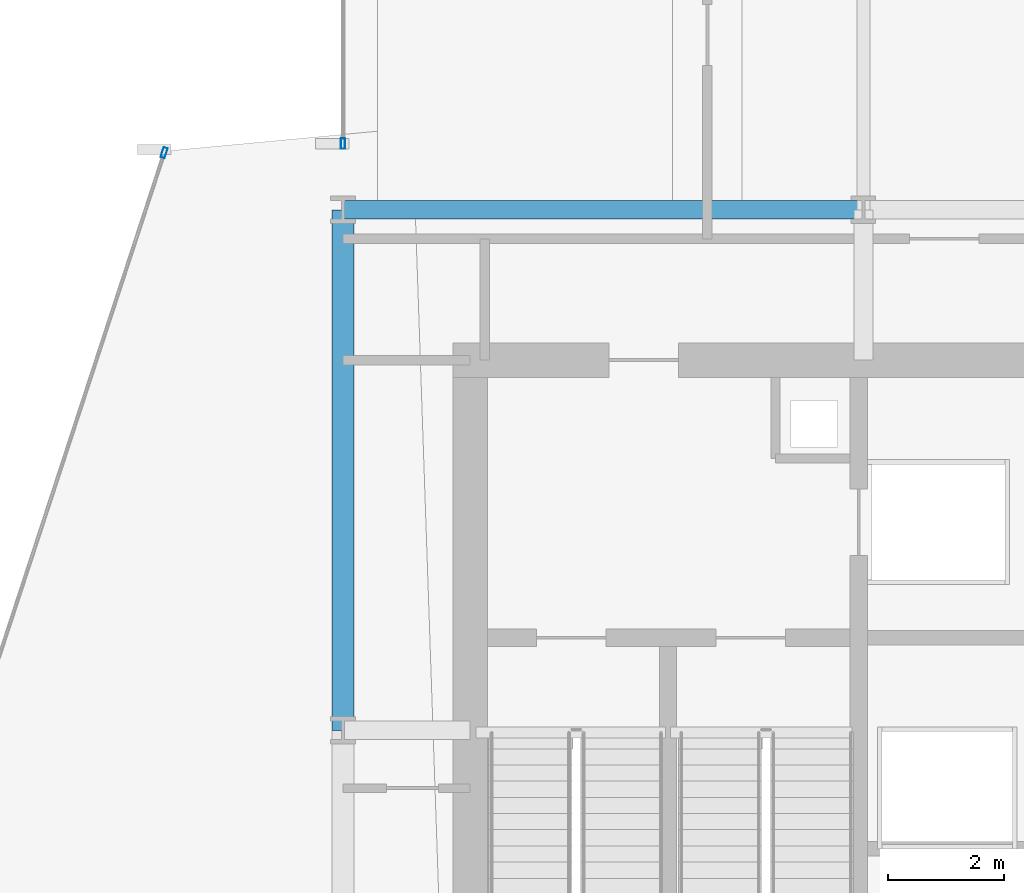
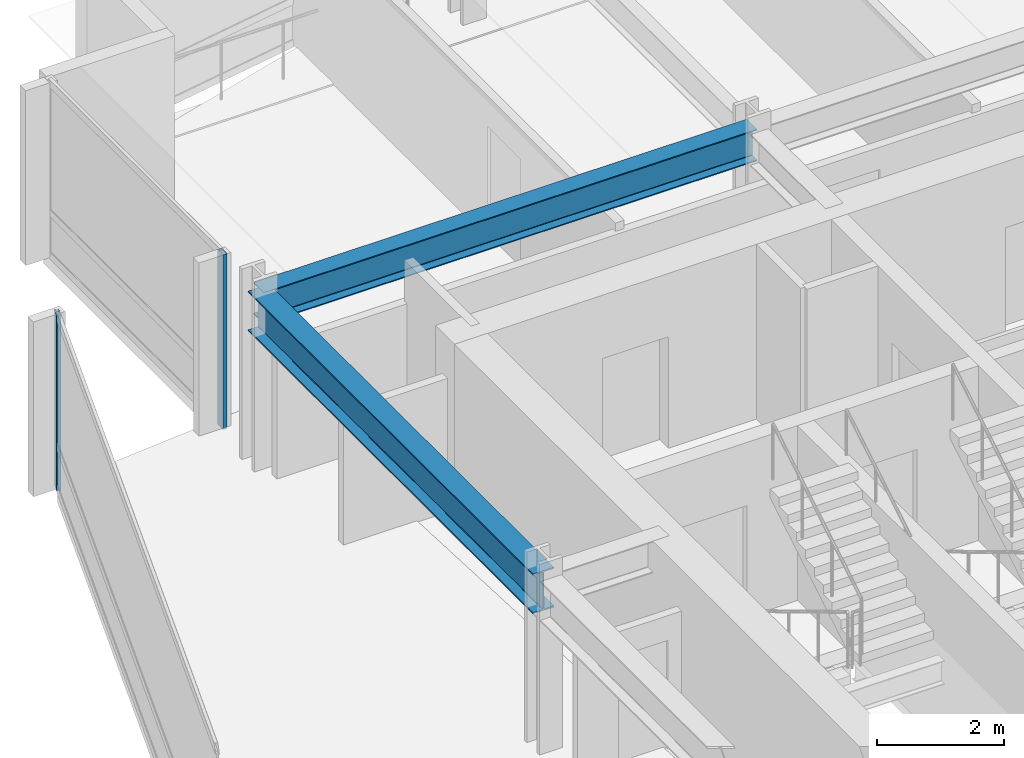
# One storey, part 20 of 35: 2 beams, 2 members, 2 elements without a shape of their own.
"""IFC4 building model written with IfcOpenShell, lengths in metres."""

from ifc_helpers import new_model, si_unit, direction, frame, origin, origin_2d, place, context, subcontext, project, spatial, hollow_rectangle, i_section, extrude, material, layer, layer_set, material_profile, profile_set, type_object, element, aggregate, save


model = new_model("IFC4")

# Units and contexts
model_context = context("Model", 3, precision=1e-05, world=origin(), true_north=direction((0.0, 1.0)))
body_context = subcontext(model_context, "Body", "Model", "MODEL_VIEW")
ifc_project = project(units=[si_unit("LENGTHUNIT", "METRE"), si_unit("AREAUNIT", "SQUARE_METRE"), si_unit("VOLUMEUNIT", "CUBIC_METRE"), si_unit("PLANEANGLEUNIT", "RADIAN"), si_unit("MASSUNIT", "GRAM", prefix="KILO")], contexts=[model_context])

# Site, building, storey
site_placement = place(None, origin())
site = spatial("IfcSite", under=ifc_project, at=site_placement, CompositionType="ELEMENT")
building_placement = place(site_placement, origin())
building = spatial("IfcBuilding", under=site, at=building_placement, Name="Solvaryn Broadcast Tower", CompositionType="ELEMENT")
storey_placement = place(building_placement, frame((0.0, 0.0, 80.39990234375)))
storey = spatial("IfcBuildingStorey", under=building, at=storey_placement, Name="L19", CompositionType="ELEMENT", Elevation=80.39990234375)

# Beams
ifc_material_1 = material(Name="Steel ASTM A992 Grade 50", Category="steel")
ifc_material_profile_1 = material_profile(ifc_material_1, i_section(OverallWidth=0.323974609375, OverallDepth=0.611083984375, WebThickness=0.0126953125, FlangeThickness=0.01904296875, FilletRadius=0.014892578125, at=origin_2d()))
ifc_profile_set_1 = profile_set([ifc_material_profile_1], Name="Steel ASTM A992 Grade 50")
beam_type_1 = type_object("IfcBeamType", Name="BM-B1-W24X104", PredefinedType="BEAM", material=ifc_profile_set_1)
beam_1_placement = place(storey_placement, frame((9.0, 45.0, 3.064697265625), z_axis=(1.0, 0.0, 0.0), x_axis=(0.0, 1.0, 0.0)))
element("IfcBeam", 1, at=beam_1_placement, inside=storey, type_object=beam_type_1, Name="L19 Primary Beam X (9-18 @ Y=45)", PredefinedType="BEAM", context=body_context, shape_type="SweptSolid", body=[
    extrude(i_section(OverallWidth=0.323974609375, OverallDepth=0.611083984375, WebThickness=0.0126953125, FlangeThickness=0.01904296875, FilletRadius=0.014892578125, at=origin_2d()), origin(), (0.0, 0.0, 1.0), 9.0),
])
ifc_material_2 = material(Name="Steel ASTM A992 Grade 50", Category="steel")
ifc_material_profile_2 = material_profile(ifc_material_2, i_section(OverallWidth=0.381103515625, OverallDepth=0.77294921875, WebThickness=0.0166015625, FlangeThickness=0.027099609375, FilletRadius=0.01806640625, at=origin_2d()))
ifc_profile_set_2 = profile_set([ifc_material_profile_2], Name="Steel ASTM A992 Grade 50")
beam_type_2 = type_object("IfcBeamType", Name="BM-SP1-W30X173", PredefinedType="USERDEFINED", material=ifc_profile_set_2)
beam_2_placement = place(storey_placement, frame((9.0, 36.0, 2.983642578125), z_axis=(0.0, 1.0, 0.0), x_axis=(-1.0, 0.0, 0.0)))
element("IfcBeam", 2, at=beam_2_placement, inside=storey, type_object=beam_type_2, Name="L19 Spandrel Beam Y (36-45 @ X=9)", ObjectType="SPANDREL", PredefinedType="USERDEFINED", context=body_context, shape_type="SweptSolid", body=[
    extrude(i_section(OverallWidth=0.381103515625, OverallDepth=0.77294921875, WebThickness=0.0166015625, FlangeThickness=0.027099609375, FilletRadius=0.01806640625, at=origin_2d()), origin(), (0.0, 0.0, 1.0), 9.0),
])

# Curtain wall, member
ifc_material_3 = material(Name="Aluminium and Terracotta Unitised Curtain Wall", Category="masonry")
ifc_layer = layer(ifc_material_3, 0.199951171875)
ifc_layer_set = layer_set([ifc_layer], Name="CW-SYS2-LOWMID")
curtain_wall_type = type_object("IfcCurtainWallType", Name="CW-SYS2-LOWMID", PredefinedType="NOTDEFINED", material=ifc_layer_set)
curtain_wall_1_placement = place(storey_placement, origin())
curtain_wall_1 = element("IfcCurtainWall", 3, at=curtain_wall_1_placement, inside=storey, type_object=curtain_wall_type, Name="L19 Curtain Wall DR1", PredefinedType="NOTDEFINED")
ifc_material_4 = material(Name="Anodised Aluminium 6063-T6", Category="aluminium")
ifc_material_profile_3 = material_profile(ifc_material_4, hollow_rectangle(XDim=0.074951171875, YDim=0.179931640625, WallThickness=0.00390625, InnerFilletRadius=0.00390625, OuterFilletRadius=0.008056640625, at=origin_2d()))
ifc_profile_set_3 = profile_set([ifc_material_profile_3], Name="Anodised Aluminium 6063-T6")
member_type = type_object("IfcMemberType", Name="CW-MUL-180", PredefinedType="MULLION", material=ifc_profile_set_3)
member_1_placement = place(storey_placement, frame((5.90673828125, 45.987548828125, 0.0), z_axis=(0.0, 0.0, 1.0), x_axis=(0.950215318429, -0.311594044587, 0.0)))
member_1 = element("IfcMember", 4, at=member_1_placement, type_object=member_type, Name="CWS2 mullion 1", PredefinedType="MULLION", context=body_context, shape_type="SweptSolid", body=[
    extrude(hollow_rectangle(XDim=0.074951171875, YDim=0.179931640625, WallThickness=0.00390625, InnerFilletRadius=0.00390625, OuterFilletRadius=0.008056640625, at=origin_2d()), origin(), (0.0, 0.0, 1.0), 3.3701171875),
])
aggregate(curtain_wall_1, [member_1])

curtain_wall_2_placement = place(storey_placement, origin())
curtain_wall_2 = element("IfcCurtainWall", 5, at=curtain_wall_2_placement, inside=storey, type_object=curtain_wall_type, Name="L19 Curtain Wall W2", PredefinedType="NOTDEFINED")
member_2_placement = place(storey_placement, frame((9.0, 46.14599609375, 0.0), z_axis=(0.0, 0.0, 1.0), x_axis=(-1.0, 0.0, 0.0)))
member_2 = element("IfcMember", 6, at=member_2_placement, type_object=member_type, Name="CWS2 mullion 1", PredefinedType="MULLION", context=body_context, shape_type="SweptSolid", body=[
    extrude(hollow_rectangle(XDim=0.074951171875, YDim=0.179931640625, WallThickness=0.00390625, InnerFilletRadius=0.00390625, OuterFilletRadius=0.008056640625, at=origin_2d()), origin(), (0.0, 0.0, 1.0), 3.3701171875),
])
aggregate(curtain_wall_2, [member_2])

save(model, "model.ifc")
